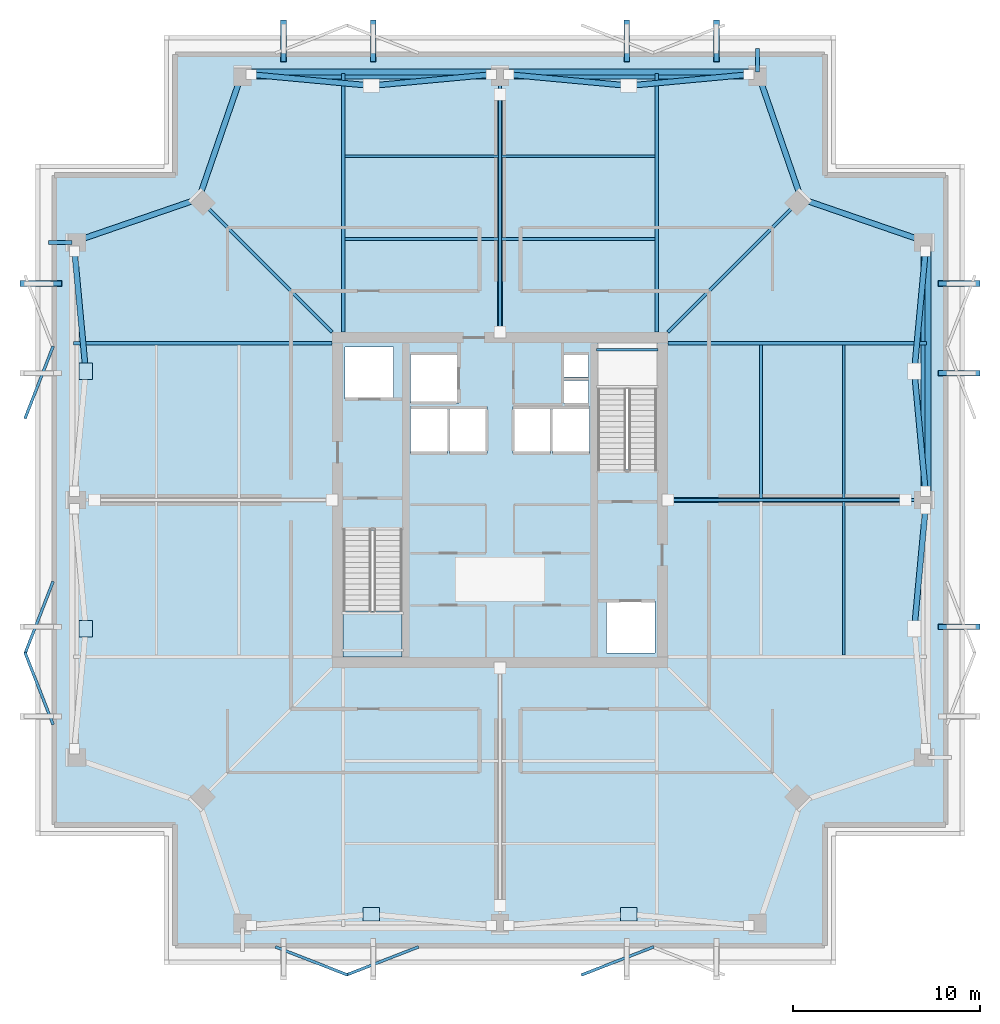
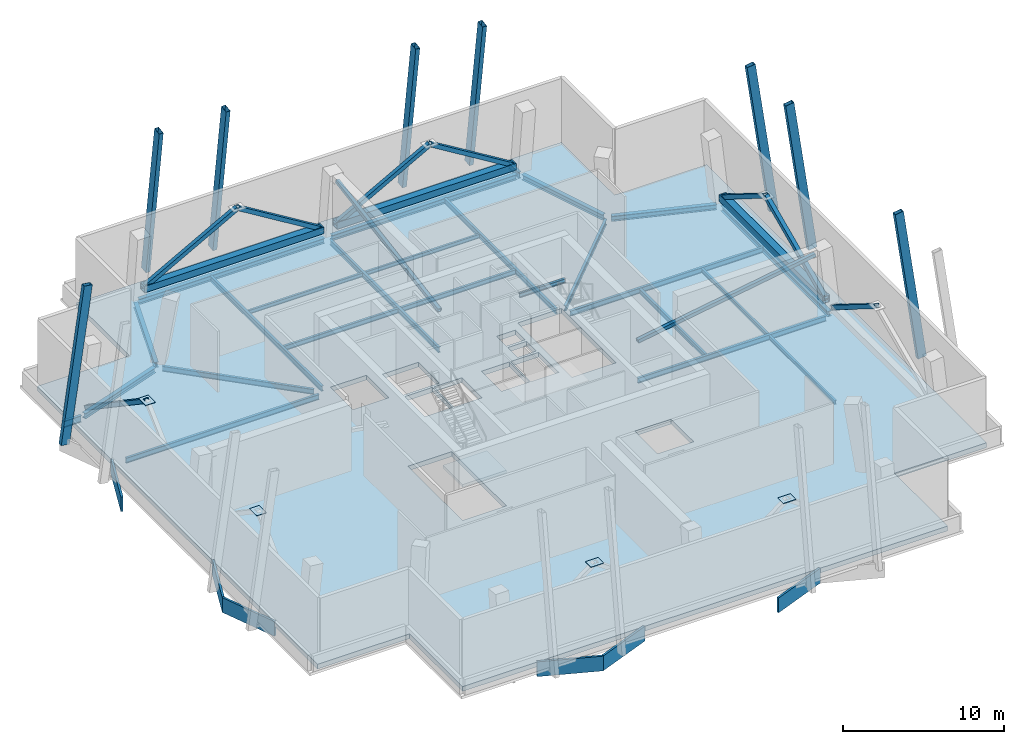
# One storey, part 2 of 6: 28 beams, 18 members, 10 plates, 2 slabs, 1 element without a shape of its own.
"""IFC4 building model written with IfcOpenShell, lengths in metres."""

from ifc_helpers import new_model, si_unit, direction, frame, origin, origin_2d, place, context, subcontext, project, spatial, polyline, rectangle, hollow_rectangle, i_section, outline, extrude, material, layer, layer_set, material_profile, profile_set, type_object, element, aggregate, save


model = new_model("IFC4")

# Units and contexts
model_context = context("Model", 3, precision=1e-05, world=origin(), true_north=direction((0.0, 1.0)))
body_context = subcontext(model_context, "Body", "Model", "MODEL_VIEW")
ifc_project = project(units=[si_unit("LENGTHUNIT", "METRE"), si_unit("AREAUNIT", "SQUARE_METRE"), si_unit("VOLUMEUNIT", "CUBIC_METRE"), si_unit("PLANEANGLEUNIT", "RADIAN"), si_unit("MASSUNIT", "GRAM", prefix="KILO")], contexts=[model_context])

# Site, building, storey
site_placement = place(None, origin())
site = spatial("IfcSite", under=ifc_project, at=site_placement, CompositionType="ELEMENT")
building_placement = place(site_placement, origin())
building = spatial("IfcBuilding", under=site, at=building_placement, Name="Belovzor Exchange Tower", CompositionType="ELEMENT")
storey_placement = place(building_placement, frame((0.0, 0.0, 284.10009765625)))
storey = spatial("IfcBuildingStorey", under=building, at=storey_placement, Name="L71", CompositionType="ELEMENT", Elevation=284.10009765625)

# Members
ifc_material_1 = material(Name="Steel S460", Category="steel")
ifc_material_profile_1 = material_profile(ifc_material_1, hollow_rectangle(XDim=0.25, YDim=0.25, WallThickness=0.012451171875, at=origin_2d()))
ifc_profile_set_1 = profile_set([ifc_material_profile_1], Name="Steel S460")
member_type_1 = type_object("IfcMemberType", Name="Outrigger Tie Diagonal SHS 250x250x12.5", PredefinedType="BRACE", material=ifc_profile_set_1)
for number, where, z_axis, x_axis, name in (
    (1, (28.800048828125, 37.800048828125, 2.449951171875), (0.0, 0.986656143574, 0.162817856351), (-1.0, 0.0, 0.0), "OB-260 Outrigger Tie Diagonal SHS 250x250x12.5"),
    (2, (37.800048828125, 28.800048828125, 2.449951171875), (0.986656143574, 0.0, 0.162817856351), (0.0, 1.0, 0.0), "OB-260 Outrigger Tie Diagonal SHS 250x250x12.5"),
):
    element("IfcMember", number, at=place(storey_placement, frame(where, z_axis=z_axis, x_axis=x_axis)), inside=storey, type_object=member_type_1, Name=name, PredefinedType="BRACE", context=body_context, shape_type="SweptSolid", body=[
        extrude(hollow_rectangle(XDim=0.25, YDim=0.25, WallThickness=0.012451171875, at=origin_2d()), origin(), (0.0, 0.0, 1.0), 12.89697265625),
    ])

# Beams
ifc_material_2 = material(Name="Steel S460", Category="steel")
ifc_material_profile_2 = material_profile(ifc_material_2, hollow_rectangle(XDim=0.5, YDim=0.5, WallThickness=0.02490234375, at=origin_2d()))
ifc_profile_set_2 = profile_set([ifc_material_profile_2], Name="Steel S460")
beam_type_1 = type_object("IfcBeamType", Name="Perimeter Belt Truss Chord SHS 500x500x25", PredefinedType="BEAM", material=ifc_profile_set_2)
for number, where, z_axis, x_axis, name in (
    (3, (51.60009765625, 29.27490234375, 0.449951171875), (0.0, 1.0, 0.0), (-1.0, 0.0, 0.0), "BT-500 Perimeter Belt Truss Chord SHS 500x500x25"),
    (4, (42.125, 51.60009765625, 0.449951171875), (-1.0, 0.0, 0.0), (0.0, -1.0, 0.0), "BT-500 Perimeter Belt Truss Chord SHS 500x500x25"),
):
    element("IfcBeam", number, at=place(storey_placement, frame(where, z_axis=z_axis, x_axis=x_axis)), inside=storey, type_object=beam_type_1, Name=name, PredefinedType="BEAM", context=body_context, shape_type="SweptSolid", body=[
        extrude(hollow_rectangle(XDim=0.5, YDim=0.5, WallThickness=0.02490234375, at=origin_2d()), origin(), (0.0, 0.0, 1.0), 12.85009765625),
    ])
beam_1_placement = place(storey_placement, frame((28.324951171875, 51.60009765625, 0.449951171875), z_axis=(-1.0, 0.0, 0.0), x_axis=(0.0, -1.0, 0.0)))
element("IfcBeam", 5, at=beam_1_placement, inside=storey, type_object=beam_type_1, Name="BT-500 Perimeter Belt Truss Chord SHS 500x500x25", PredefinedType="BEAM", context=body_context, shape_type="SweptSolid", body=[
    extrude(hollow_rectangle(XDim=0.5, YDim=0.5, WallThickness=0.02490234375, at=origin_2d()), origin(), (0.0, 0.0, 1.0), 12.849853515625),
])
ifc_material_3 = material(Name="Steel S355", Category="steel")
ifc_material_profile_3 = material_profile(ifc_material_3, i_section(OverallWidth=0.199951171875, OverallDepth=0.5, WebThickness=0.01025390625, FlangeThickness=0.01611328125, at=origin_2d()))
ifc_profile_set_3 = profile_set([ifc_material_profile_3], Name="Steel S355")
beam_type_2 = type_object("IfcBeamType", Name="Planted Balcony Cantilever Beam IPE 500", PredefinedType="BEAM", material=ifc_profile_set_3)
for number, where, z_axis, x_axis, name in (
    (6, (42.60009765625, 51.74609375, -0.610107421875), (0.0, 1.0, 0.0), (-1.0, 0.0, 0.0), "BC-500 Planted Balcony Cantilever Beam IPE 500"),
    (7, (5.85400390625, 42.60009765625, -0.610107421875), (-1.0, 0.0, 0.0), (0.0, -1.0, 0.0), "BC-500 Planted Balcony Cantilever Beam IPE 500"),
):
    element("IfcBeam", number, at=place(storey_placement, frame(where, z_axis=z_axis, x_axis=x_axis)), inside=storey, type_object=beam_type_2, Name=name, PredefinedType="BEAM", context=body_context, shape_type="SweptSolid", body=[
        extrude(i_section(OverallWidth=0.199951171875, OverallDepth=0.5, WebThickness=0.01025390625, FlangeThickness=0.01611328125, at=origin_2d()), origin(), (0.0, 0.0, 1.0), 1.25390625),
    ])
ifc_material_4 = material(Name="Steel S355", Category="steel")
ifc_material_profile_4 = material_profile(ifc_material_4, i_section(OverallWidth=0.169921875, OverallDepth=0.360107421875, WebThickness=0.008056640625, FlangeThickness=0.0126953125, at=origin_2d()))
ifc_profile_set_4 = profile_set([ifc_material_profile_4], Name="Steel S355")
beam_type_3 = type_object("IfcBeamType", Name="Secondary Infill Floor Joist IPE 360", PredefinedType="BEAM", material=ifc_profile_set_4)
beam_2_placement = place(storey_placement, frame((20.489990234375, 42.7890625, -0.5400390625), z_axis=(1.0, 0.0, 0.0), x_axis=(0.0, 1.0, 0.0)))
element("IfcBeam", 8, at=beam_2_placement, inside=storey, type_object=beam_type_3, Name="FJ-360 Secondary Infill Floor Joist IPE 360", PredefinedType="BEAM", context=body_context, shape_type="SweptSolid", body=[
    extrude(i_section(OverallWidth=0.169921875, OverallDepth=0.360107421875, WebThickness=0.008056640625, FlangeThickness=0.0126953125, at=origin_2d()), origin(), (0.0, 0.0, 1.0), 8.219970703125),
])
for number, where, z_axis, x_axis, name in (
    (9, (28.889892578125, 42.7890625, -0.5400390625), (1.0, 0.0, 0.0), (0.0, 1.0, 0.0), "FJ-360 Secondary Infill Floor Joist IPE 360"),
    (10, (42.7890625, 28.889892578125, -0.5400390625), (0.0, 1.0, 0.0), (-1.0, 0.0, 0.0), "FJ-360 Secondary Infill Floor Joist IPE 360"),
):
    element("IfcBeam", number, at=place(storey_placement, frame(where, z_axis=z_axis, x_axis=x_axis)), inside=storey, type_object=beam_type_3, Name=name, PredefinedType="BEAM", context=body_context, shape_type="SweptSolid", body=[
        extrude(i_section(OverallWidth=0.169921875, OverallDepth=0.360107421875, WebThickness=0.008056640625, FlangeThickness=0.0126953125, at=origin_2d()), origin(), (0.0, 0.0, 1.0), 8.22021484375),
    ])
ifc_material_5 = material(Name="Steel S355", Category="steel")
ifc_material_profile_5 = material_profile(ifc_material_5, i_section(OverallWidth=0.14990234375, OverallDepth=0.300048828125, WebThickness=0.007080078125, FlangeThickness=0.0107421875, at=origin_2d()))
ifc_profile_set_5 = profile_set([ifc_material_profile_5], Name="Steel S355")
beam_type_4 = type_object("IfcBeamType", Name="Secondary Trim Floor Joist IPE 300", PredefinedType="BEAM", material=ifc_profile_set_5)
beam_3_placement = place(storey_placement, frame((37.280029296875, 36.85009765625, 2.349853515625), z_axis=(-1.0, 0.0, 0.0), x_axis=(0.0, -1.0, 0.0)))
element("IfcBeam", 11, at=beam_3_placement, inside=storey, type_object=beam_type_4, Name="FJ-300 Secondary Trim Floor Joist IPE 300", PredefinedType="BEAM", context=body_context, shape_type="SweptSolid", body=[
    extrude(i_section(OverallWidth=0.14990234375, OverallDepth=0.300048828125, WebThickness=0.007080078125, FlangeThickness=0.0107421875, at=origin_2d()), origin(), (0.0, 0.0, 1.0), 3.31005859375),
])
beam_4_placement = place(storey_placement, frame((20.489990234375, 47.22412109375, -0.510009765625), z_axis=(1.0, 0.0, 0.0), x_axis=(0.0, 1.0, 0.0)))
element("IfcBeam", 12, at=beam_4_placement, inside=storey, type_object=beam_type_4, Name="FJ-300 Secondary Trim Floor Joist IPE 300", PredefinedType="BEAM", context=body_context, shape_type="SweptSolid", body=[
    extrude(i_section(OverallWidth=0.14990234375, OverallDepth=0.300048828125, WebThickness=0.007080078125, FlangeThickness=0.0107421875, at=origin_2d()), origin(), (0.0, 0.0, 1.0), 8.219970703125),
])
beam_5_placement = place(storey_placement, frame((28.889892578125, 47.22412109375, -0.510009765625), z_axis=(1.0, 0.0, 0.0), x_axis=(0.0, 1.0, 0.0)))
element("IfcBeam", 13, at=beam_5_placement, inside=storey, type_object=beam_type_4, Name="FJ-300 Secondary Trim Floor Joist IPE 300", PredefinedType="BEAM", context=body_context, shape_type="SweptSolid", body=[
    extrude(i_section(OverallWidth=0.14990234375, OverallDepth=0.300048828125, WebThickness=0.007080078125, FlangeThickness=0.0107421875, at=origin_2d()), origin(), (0.0, 0.0, 1.0), 8.22021484375),
])
beam_6_placement = place(storey_placement, frame((47.22412109375, 20.489990234375, -0.510009765625), z_axis=(0.0, 1.0, 0.0), x_axis=(-1.0, 0.0, 0.0)))
element("IfcBeam", 14, at=beam_6_placement, inside=storey, type_object=beam_type_4, Name="FJ-300 Secondary Trim Floor Joist IPE 300", PredefinedType="BEAM", context=body_context, shape_type="SweptSolid", body=[
    extrude(i_section(OverallWidth=0.14990234375, OverallDepth=0.300048828125, WebThickness=0.007080078125, FlangeThickness=0.0107421875, at=origin_2d()), origin(), (0.0, 0.0, 1.0), 8.219970703125),
])
beam_7_placement = place(storey_placement, frame((47.22412109375, 28.889892578125, -0.510009765625), z_axis=(0.0, 1.0, 0.0), x_axis=(-1.0, 0.0, 0.0)))
element("IfcBeam", 15, at=beam_7_placement, inside=storey, type_object=beam_type_4, Name="FJ-300 Secondary Trim Floor Joist IPE 300", PredefinedType="BEAM", context=body_context, shape_type="SweptSolid", body=[
    extrude(i_section(OverallWidth=0.14990234375, OverallDepth=0.300048828125, WebThickness=0.007080078125, FlangeThickness=0.0107421875, at=origin_2d()), origin(), (0.0, 0.0, 1.0), 8.22021484375),
])

# Members
ifc_material_6 = material(Name="Steel S355", Category="steel")
ifc_material_profile_6 = material_profile(ifc_material_6, hollow_rectangle(XDim=0.300048828125, YDim=0.300048828125, WallThickness=0.01611328125, at=origin_2d()))
ifc_profile_set_6 = profile_set([ifc_material_profile_6], Name="Steel S355")
member_type_2 = type_object("IfcMemberType", Name="Upper Belt Truss Diagonal SHS 300x300x16", PredefinedType="BRACE", material=ifc_profile_set_6)
for number, where, z_axis, x_axis, name in (
    (16, (51.0, 21.89990234375, 4.64990234375), (0.07794070296, 0.83448554915, -0.545489793747), (-0.995666579124, 0.092994963388, 0.0), "BD-300 Upper Belt Truss Diagonal SHS 300x300x16"),
    (17, (51.60009765625, 29.27490234375, 0.449951171875), (-0.07794070296, 0.83448554915, 0.545489793747), (-0.995666579124, -0.092994963388, 0.0), "BD-300 Upper Belt Truss Diagonal SHS 300x300x16"),
    (18, (51.0, 35.699951171875, 4.64990234375), (0.07794070296, 0.83448554915, -0.545489793747), (-0.995666579124, 0.092994963388, 0.0), "BD-300 Upper Belt Truss Diagonal SHS 300x300x16"),
    (19, (42.125, 51.60009765625, 0.449951171875), (-0.83448554915, -0.07794070296, 0.545489793747), (0.092994963388, -0.995666579124, 0.0), "BD-300 Upper Belt Truss Diagonal SHS 300x300x16"),
    (20, (35.699951171875, 51.0, 4.64990234375), (-0.83448554915, 0.07794070296, -0.545489793747), (-0.092994963388, -0.995666579124, 0.0), "BD-300 Upper Belt Truss Diagonal SHS 300x300x16"),
    (21, (28.324951171875, 51.60009765625, 0.449951171875), (-0.83448554915, -0.07794070296, 0.545489793747), (0.092994963388, -0.995666579124, 0.0), "BD-300 Upper Belt Truss Diagonal SHS 300x300x16"),
):
    element("IfcMember", number, at=place(storey_placement, frame(where, z_axis=z_axis, x_axis=x_axis)), inside=storey, type_object=member_type_2, Name=name, PredefinedType="BRACE", context=body_context, shape_type="SweptSolid", body=[
        extrude(hollow_rectangle(XDim=0.300048828125, YDim=0.300048828125, WallThickness=0.01611328125, at=origin_2d()), origin(), (0.0, 0.0, 1.0), 7.699462890625),
    ])
member_1_placement = place(storey_placement, frame((21.89990234375, 51.0, 4.64990234375), z_axis=(-0.834475920844, 0.077942765368, -0.545504228085), x_axis=(-0.092998466606, -0.995666251918, 0.0)))
element("IfcMember", 22, at=member_1_placement, inside=storey, type_object=member_type_2, Name="BD-300 Upper Belt Truss Diagonal SHS 300x300x16", PredefinedType="BRACE", context=body_context, shape_type="SweptSolid", body=[
    extrude(hollow_rectangle(XDim=0.300048828125, YDim=0.300048828125, WallThickness=0.01611328125, at=origin_2d()), origin(), (0.0, 0.0, 1.0), 7.69921875),
])
member_2_placement = place(storey_placement, frame((6.0, 42.125, 0.449951171875), z_axis=(0.07794070296, -0.83448554915, 0.545489793747), x_axis=(0.995666579124, 0.092994963388, 0.0)))
element("IfcMember", 23, at=member_2_placement, inside=storey, type_object=member_type_2, Name="BD-300 Upper Belt Truss Diagonal SHS 300x300x16", PredefinedType="BRACE", context=body_context, shape_type="SweptSolid", body=[
    extrude(hollow_rectangle(XDim=0.300048828125, YDim=0.300048828125, WallThickness=0.01611328125, at=origin_2d()), origin(), (0.0, 0.0, 1.0), 7.699462890625),
])
ifc_material_7 = material(Name="Extruded Architectural Terracotta on Steel S355 Carrier", Category="masonry")
ifc_material_profile_7 = material_profile(ifc_material_7, hollow_rectangle(XDim=0.300048828125, YDim=0.60009765625, WallThickness=0.01611328125, at=origin_2d()))
ifc_profile_set_7 = profile_set([ifc_material_profile_7], Name="Extruded Architectural Terracotta on Steel S355 Carrier")
member_type_3 = type_object("IfcMemberType", Name="Upper Crown Terracotta Fin Assembly 550", PredefinedType="USERDEFINED", material=ifc_profile_set_7)
for number, where, z_axis, x_axis, name in (
    (24, (17.199951171875, 54.22509765625, -0.360107421875), (0.0, -0.141794345676, 0.989896137751), (1.0, 0.0, 0.0), "FIN-TC055 Terracotta Facade Fin L71 N1"),
    (25, (22.0, 54.22509765625, -0.360107421875), (0.0, -0.141794345676, 0.989896137751), (1.0, 0.0, 0.0), "FIN-TC055 Terracotta Facade Fin L71 N2"),
    (26, (54.22509765625, 22.0, -0.360107421875), (-0.141794345676, 0.0, 0.989896137751), (0.0, -1.0, 0.0), "FIN-TC055 Terracotta Facade Fin L71 E2"),
    (27, (35.60009765625, 54.22509765625, -0.360107421875), (0.0, -0.141794345676, 0.989896137751), (1.0, 0.0, 0.0), "FIN-TC055 Terracotta Facade Fin L71 N3"),
    (28, (54.22509765625, 35.60009765625, -0.360107421875), (-0.141794345676, 0.0, 0.989896137751), (0.0, -1.0, 0.0), "FIN-TC055 Terracotta Facade Fin L71 E3"),
    (29, (40.39990234375, 54.22509765625, -0.360107421875), (0.0, -0.141794345676, 0.989896137751), (1.0, 0.0, 0.0), "FIN-TC055 Terracotta Facade Fin L71 N4"),
):
    element("IfcMember", number, at=place(storey_placement, frame(where, z_axis=z_axis, x_axis=x_axis)), inside=storey, type_object=member_type_3, Name=name, ObjectType="FIN", PredefinedType="USERDEFINED", context=body_context, shape_type="SweptSolid", body=[
        extrude(hollow_rectangle(XDim=0.300048828125, YDim=0.60009765625, WallThickness=0.01611328125, at=origin_2d()), origin(), (0.0, 0.0, 1.0), 11.6376953125),
    ])
member_3_placement = place(storey_placement, frame((3.375, 40.39990234375, -0.360107421875), z_axis=(0.141773788774, 0.0, 0.989899082138), x_axis=(0.0, 1.0, 0.0)))
element("IfcMember", 30, at=member_3_placement, inside=storey, type_object=member_type_3, Name="FIN-TC055 Terracotta Facade Fin L71 W4", ObjectType="FIN", PredefinedType="USERDEFINED", context=body_context, shape_type="SweptSolid", body=[
    extrude(hollow_rectangle(XDim=0.300048828125, YDim=0.60009765625, WallThickness=0.01611328125, at=origin_2d()), origin(), (0.0, 0.0, 1.0), 11.637451171875),
])
member_4_placement = place(storey_placement, frame((54.22509765625, 40.39990234375, -0.360107421875), z_axis=(-0.141794345676, 0.0, 0.989896137751), x_axis=(0.0, -1.0, 0.0)))
element("IfcMember", 31, at=member_4_placement, inside=storey, type_object=member_type_3, Name="FIN-TC055 Terracotta Facade Fin L71 E4", ObjectType="FIN", PredefinedType="USERDEFINED", context=body_context, shape_type="SweptSolid", body=[
    extrude(hollow_rectangle(XDim=0.300048828125, YDim=0.60009765625, WallThickness=0.01611328125, at=origin_2d()), origin(), (0.0, 0.0, 1.0), 11.6376953125),
])

# Beams
ifc_material_8 = material(Name="Steel S355", Category="steel")
ifc_material_profile_8 = material_profile(ifc_material_8, i_section(OverallWidth=0.300048828125, OverallDepth=0.39990234375, WebThickness=0.013427734375, FlangeThickness=0.02392578125, at=origin_2d()))
ifc_profile_set_8 = profile_set([ifc_material_profile_8], Name="Steel S355")
beam_type_5 = type_object("IfcBeamType", Name="Zone 5 Primary Girder HEB 400", PredefinedType="BEAM", material=ifc_profile_set_8)
beam_8_placement = place(storey_placement, frame((51.73388671875, 29.06103515625, -0.56005859375), z_axis=(0.0, 1.0, 0.0), x_axis=(-1.0, 0.0, 0.0)))
element("IfcBeam", 32, at=beam_8_placement, inside=storey, type_object=beam_type_5, Name="FG-Z5 Zone 5 Primary Girder HEB 400", PredefinedType="BEAM", context=body_context, shape_type="SweptSolid", body=[
    extrude(i_section(OverallWidth=0.300048828125, OverallDepth=0.39990234375, WebThickness=0.013427734375, FlangeThickness=0.02392578125, at=origin_2d()), origin(), (0.0, 0.0, 1.0), 13.278076171875),
])
for number, where, z_axis, x_axis, name in (
    (33, (51.487060546875, 42.68505859375, -0.56005859375), (-0.945488954131, 0.325654168739, 0.0), (-0.325654168739, -0.945488954131, 0.0), "FG-Z5 Zone 5 Primary Girder HEB 400"),
    (34, (44.85498046875, 45.18701171875, -0.56005859375), (-0.325654168739, 0.945488954131, 0.0), (-0.945488954131, -0.325654168739, 0.0), "FG-Z5 Zone 5 Primary Girder HEB 400"),
):
    element("IfcBeam", number, at=place(storey_placement, frame(where, z_axis=z_axis, x_axis=x_axis)), inside=storey, type_object=beam_type_5, Name=name, PredefinedType="BEAM", context=body_context, shape_type="SweptSolid", body=[
        extrude(i_section(OverallWidth=0.300048828125, OverallDepth=0.39990234375, WebThickness=0.013427734375, FlangeThickness=0.02392578125, at=origin_2d()), origin(), (0.0, 0.0, 1.0), 6.663330078125),
    ])
for number, where, z_axis, x_axis, name in (
    (35, (42.339111328125, 51.73388671875, -0.56005859375), (-1.0, 0.0, 0.0), (0.0, -1.0, 0.0), "FG-Z5 Zone 5 Primary Girder HEB 400"),
    (36, (28.5390625, 51.73388671875, -0.56005859375), (-1.0, 0.0, 0.0), (0.0, -1.0, 0.0), "FG-Z5 Zone 5 Primary Girder HEB 400"),
):
    element("IfcBeam", number, at=place(storey_placement, frame(where, z_axis=z_axis, x_axis=x_axis)), inside=storey, type_object=beam_type_5, Name=name, PredefinedType="BEAM", context=body_context, shape_type="SweptSolid", body=[
        extrude(i_section(OverallWidth=0.300048828125, OverallDepth=0.39990234375, WebThickness=0.013427734375, FlangeThickness=0.02392578125, at=origin_2d()), origin(), (0.0, 0.0, 1.0), 13.278076171875),
    ])
for number, where, z_axis, x_axis, name in (
    (37, (14.9150390625, 51.487060546875, -0.56005859375), (-0.325654168739, -0.945488954131, 0.0), (0.945488954131, -0.325654168739, 0.0), "FG-Z5 Zone 5 Primary Girder HEB 400"),
    (38, (12.4130859375, 44.85498046875, -0.56005859375), (-0.945488954131, -0.325654168739, 0.0), (0.325654168739, -0.945488954131, 0.0), "FG-Z5 Zone 5 Primary Girder HEB 400"),
):
    element("IfcBeam", number, at=place(storey_placement, frame(where, z_axis=z_axis, x_axis=x_axis)), inside=storey, type_object=beam_type_5, Name=name, PredefinedType="BEAM", context=body_context, shape_type="SweptSolid", body=[
        extrude(i_section(OverallWidth=0.300048828125, OverallDepth=0.39990234375, WebThickness=0.013427734375, FlangeThickness=0.02392578125, at=origin_2d()), origin(), (0.0, 0.0, 1.0), 6.663330078125),
    ])
ifc_material_9 = material(Name="Steel S355", Category="steel")
ifc_material_profile_9 = material_profile(ifc_material_9, i_section(OverallWidth=0.179931640625, OverallDepth=0.39990234375, WebThickness=0.008544921875, FlangeThickness=0.013427734375, at=origin_2d()))
ifc_profile_set_9 = profile_set([ifc_material_profile_9], Name="Steel S355")
beam_type_6 = type_object("IfcBeamType", Name="Zone 5-6 Radial Composite Floor Beam IPE 400", PredefinedType="BEAM", material=ifc_profile_set_9)
beam_9_placement = place(storey_placement, frame((20.39990234375, 37.800048828125, -0.56005859375), z_axis=(0.0, 1.0, 0.0), x_axis=(-1.0, 0.0, 0.0)))
element("IfcBeam", 39, at=beam_9_placement, inside=storey, type_object=beam_type_6, Name="FB-400 Zone 5-6 Radial Composite Floor Beam IPE 400", PredefinedType="BEAM", context=body_context, shape_type="SweptSolid", body=[
    extrude(i_section(OverallWidth=0.179931640625, OverallDepth=0.39990234375, WebThickness=0.008544921875, FlangeThickness=0.013427734375, at=origin_2d()), origin(), (0.0, 0.0, 1.0), 13.85888671875),
])
beam_10_placement = place(storey_placement, frame((28.800048828125, 37.800048828125, -0.56005859375), z_axis=(0.0, 1.0, 0.0), x_axis=(-1.0, 0.0, 0.0)))
element("IfcBeam", 40, at=beam_10_placement, inside=storey, type_object=beam_type_6, Name="FB-400 Zone 5-6 Radial Composite Floor Beam IPE 400", PredefinedType="BEAM", context=body_context, shape_type="SweptSolid", body=[
    extrude(i_section(OverallWidth=0.179931640625, OverallDepth=0.39990234375, WebThickness=0.008544921875, FlangeThickness=0.013427734375, at=origin_2d()), origin(), (0.0, 0.0, 1.0), 13.515869140625),
])
beam_11_placement = place(storey_placement, frame((37.199951171875, 37.800048828125, -0.56005859375), z_axis=(0.0, 1.0, 0.0), x_axis=(-1.0, 0.0, 0.0)))
element("IfcBeam", 41, at=beam_11_placement, inside=storey, type_object=beam_type_6, Name="FB-400 Zone 5-6 Radial Composite Floor Beam IPE 400", PredefinedType="BEAM", context=body_context, shape_type="SweptSolid", body=[
    extrude(i_section(OverallWidth=0.179931640625, OverallDepth=0.39990234375, WebThickness=0.008544921875, FlangeThickness=0.013427734375, at=origin_2d()), origin(), (0.0, 0.0, 1.0), 13.85888671875),
])
beam_12_placement = place(storey_placement, frame((19.800048828125, 37.199951171875, -0.56005859375), z_axis=(-1.0, 0.0, 0.0), x_axis=(0.0, -1.0, 0.0)))
element("IfcBeam", 42, at=beam_12_placement, inside=storey, type_object=beam_type_6, Name="FB-400 Zone 5-6 Radial Composite Floor Beam IPE 400", PredefinedType="BEAM", context=body_context, shape_type="SweptSolid", body=[
    extrude(i_section(OverallWidth=0.179931640625, OverallDepth=0.39990234375, WebThickness=0.008544921875, FlangeThickness=0.013427734375, at=origin_2d()), origin(), (0.0, 0.0, 1.0), 13.859130859375),
])
beam_13_placement = place(storey_placement, frame((37.800048828125, 28.800048828125, -0.56005859375), z_axis=(1.0, 0.0, 0.0), x_axis=(0.0, 1.0, 0.0)))
element("IfcBeam", 43, at=beam_13_placement, inside=storey, type_object=beam_type_6, Name="FB-400 Zone 5-6 Radial Composite Floor Beam IPE 400", PredefinedType="BEAM", context=body_context, shape_type="SweptSolid", body=[
    extrude(i_section(OverallWidth=0.179931640625, OverallDepth=0.39990234375, WebThickness=0.008544921875, FlangeThickness=0.013427734375, at=origin_2d()), origin(), (0.0, 0.0, 1.0), 13.515869140625),
])
beam_14_placement = place(storey_placement, frame((37.800048828125, 37.199951171875, -0.56005859375), z_axis=(1.0, 0.0, 0.0), x_axis=(0.0, 1.0, 0.0)))
element("IfcBeam", 44, at=beam_14_placement, inside=storey, type_object=beam_type_6, Name="FB-400 Zone 5-6 Radial Composite Floor Beam IPE 400", PredefinedType="BEAM", context=body_context, shape_type="SweptSolid", body=[
    extrude(i_section(OverallWidth=0.179931640625, OverallDepth=0.39990234375, WebThickness=0.008544921875, FlangeThickness=0.013427734375, at=origin_2d()), origin(), (0.0, 0.0, 1.0), 13.85888671875),
])
beam_15_placement = place(storey_placement, frame((37.800048828125, 37.800048828125, -0.56005859375), z_axis=(0.707106781187, 0.707106781187, 0.0), x_axis=(-0.707106781187, 0.707106781187, 0.0)))
element("IfcBeam", 45, at=beam_15_placement, inside=storey, type_object=beam_type_6, Name="FB-400 Zone 5-6 Radial Composite Floor Beam IPE 400", PredefinedType="BEAM", context=body_context, shape_type="SweptSolid", body=[
    extrude(i_section(OverallWidth=0.179931640625, OverallDepth=0.39990234375, WebThickness=0.008544921875, FlangeThickness=0.013427734375, at=origin_2d()), origin(), (0.0, 0.0, 1.0), 9.761962890625),
])
beam_16_placement = place(storey_placement, frame((19.800048828125, 37.800048828125, -0.56005859375), z_axis=(-0.707069264578, 0.707144295804, 0.0), x_axis=(-0.707144295804, -0.707069264578, 0.0)))
element("IfcBeam", 46, at=beam_16_placement, inside=storey, type_object=beam_type_6, Name="FB-400 Zone 5-6 Radial Composite Floor Beam IPE 400", PredefinedType="BEAM", context=body_context, shape_type="SweptSolid", body=[
    extrude(i_section(OverallWidth=0.179931640625, OverallDepth=0.39990234375, WebThickness=0.008544921875, FlangeThickness=0.013427734375, at=origin_2d()), origin(), (0.0, 0.0, 1.0), 9.761474609375),
])

# Plates
ifc_material_10 = material(Name="Steel S460", Category="steel")
ifc_layer_1 = layer(ifc_material_10, 0.031982421875)
ifc_layer_set_1 = layer_set([ifc_layer_1], Name="Steel S460")
plate_type_1 = type_object("IfcPlateType", Name="Belt Truss Chord Node Gusset Plate 900x700x32", PredefinedType="SHEET", material=ifc_layer_set_1)
for number, where, z_axis, x_axis, name in (
    (47, (21.89990234375, 6.60009765625, 4.6337890625), (0.0, 0.0, 1.0), (1.0, 0.0, 0.0), "KN-3 Belt Truss Chord Node Gusset Plate 900x700x32"),
    (48, (35.699951171875, 6.60009765625, 4.6337890625), (0.0, 0.0, 1.0), (1.0, 0.0, 0.0), "KN-3 Belt Truss Chord Node Gusset Plate 900x700x32"),
    (49, (6.60009765625, 35.699951171875, 4.6337890625), (0.0, 0.0, 1.0), (0.0, 1.0, 0.0), "KN-3 Belt Truss Chord Node Gusset Plate 900x700x32"),
    (50, (6.60009765625, 21.89990234375, 4.6337890625), (0.0, 0.0, 1.0), (0.0, 1.0, 0.0), "KN-3 Belt Truss Chord Node Gusset Plate 900x700x32"),
):
    element("IfcPlate", number, at=place(storey_placement, frame(where, z_axis=z_axis, x_axis=x_axis)), inside=storey, type_object=plate_type_1, Name=name, PredefinedType="SHEET", context=body_context, shape_type="SweptSolid", body=[
        extrude(rectangle(XDim=0.89990234375, YDim=0.699951171875, at=origin_2d()), origin(), (0.0, 0.0, 1.0), 0.031982421875),
    ])

# Slab
ifc_material_11 = material(Name="Concrete C50/60", Category="concrete")
ifc_layer_2 = layer(ifc_material_11, 0.360107421875)
ifc_layer_set_2 = layer_set([ifc_layer_2], Name="Concrete C50/60")
slab_type_1 = type_object("IfcSlabType", Name="Reinforced Concrete Refuge Deck Floor Slab 360", PredefinedType="FLOOR", material=ifc_layer_set_2)
slab_1_placement = place(storey_placement, frame((0.0, 0.0, -0.360107421875)))
element("IfcSlab", 51, at=slab_1_placement, inside=storey, type_object=slab_type_1, Name="SL-F360 Structural Slab L71", PredefinedType="FLOOR", context=body_context, shape_type="SweptSolid", body=[
    extrude(outline(polyline([(11.39990234375, 4.800048828125), (46.199951171875, 4.800048828125), (46.199951171875, 11.39990234375), (52.800048828125, 11.39990234375), (52.800048828125, 46.199951171875), (46.199951171875, 46.199951171875), (46.199951171875, 52.800048828125), (11.39990234375, 52.800048828125), (11.39990234375, 46.199951171875), (4.800048828125, 46.199951171875), (4.800048828125, 11.39990234375), (11.39990234375, 11.39990234375), (11.39990234375, 4.800048828125)]), holes=[polyline([(20.39990234375, 27.175048828125), (20.39990234375, 20.39990234375), (23.550048828125, 20.39990234375), (23.550048828125, 27.175048828125), (20.39990234375, 27.175048828125)]), polyline([(37.199951171875, 30.425048828125), (37.199951171875, 37.199951171875), (34.050048828125, 37.199951171875), (34.050048828125, 30.425048828125), (37.199951171875, 30.425048828125)]), polyline([(20.5, 34.199951171875), (23.10009765625, 34.199951171875), (23.10009765625, 37.0), (20.5, 37.0), (20.5, 34.199951171875)]), polyline([(34.5, 20.60009765625), (37.10009765625, 20.60009765625), (37.10009765625, 23.39990234375), (34.5, 23.39990234375), (34.5, 20.60009765625)]), polyline([(24.0, 34.0), (26.60009765625, 34.0), (26.60009765625, 36.60009765625), (24.0, 36.60009765625), (24.0, 34.0)]), polyline([(24.0, 31.300048828125), (26.0, 31.300048828125), (26.0, 33.800048828125), (24.0, 33.800048828125), (24.0, 31.300048828125)]), polyline([(26.10009765625, 31.300048828125), (28.10009765625, 31.300048828125), (28.10009765625, 33.800048828125), (26.10009765625, 33.800048828125), (26.10009765625, 31.300048828125)]), polyline([(29.5, 31.300048828125), (31.5, 31.300048828125), (31.5, 33.800048828125), (29.5, 33.800048828125), (29.5, 31.300048828125)]), polyline([(31.60009765625, 31.300048828125), (33.60009765625, 31.300048828125), (33.60009765625, 33.800048828125), (31.60009765625, 33.800048828125), (31.60009765625, 31.300048828125)]), polyline([(32.199951171875, 34.0), (33.550048828125, 34.0), (33.550048828125, 35.199951171875), (32.199951171875, 35.199951171875), (32.199951171875, 34.0)]), polyline([(32.199951171875, 35.39990234375), (33.550048828125, 35.39990234375), (33.550048828125, 36.60009765625), (32.199951171875, 36.60009765625), (32.199951171875, 35.39990234375)])]), origin(), (0.0, 0.0, 1.0), 0.360107421875),
])

# Stair, slab
ifc_material_12 = material(Name="Concrete C40/50", Category="concrete")
stair_type = type_object("IfcStairType", Name="Reinforced Concrete Dogleg Escape Stair 1350", PredefinedType="HALF_TURN_STAIR", material=ifc_material_12)
stair_placement = place(storey_placement, origin())
stair = element("IfcStair", 52, at=stair_placement, inside=storey, type_object=stair_type, Name="L71 ST-1", PredefinedType="HALF_TURN_STAIR")
ifc_material_13 = material(Name="Concrete C40/50", Category="concrete")
ifc_layer_3 = layer(ifc_material_13, 0.199951171875)
ifc_layer_set_3 = layer_set([ifc_layer_3], Name="Concrete C40/50")
slab_type_2 = type_object("IfcSlabType", Name="Reinforced Concrete Stair Half-Landing Slab 200", PredefinedType="LANDING", material=ifc_layer_set_3)
slab_2_placement = place(storey_placement, frame((0.0, 0.0, 2.5)))
slab_2 = element("IfcSlab", 53, at=slab_2_placement, type_object=slab_type_2, Name="ST-1 landing 1", PredefinedType="LANDING", context=body_context, shape_type="SweptSolid", body=[
    extrude(outline(polyline([(20.39990234375, 22.85009765625), (20.39990234375, 20.39990234375), (23.550048828125, 20.39990234375), (23.550048828125, 22.85009765625), (20.39990234375, 22.85009765625)])), origin(), (0.0, 0.0, 1.0), 0.199951171875),
])
aggregate(stair, [slab_2])

# Plates
ifc_material_14 = material(Name="Extruded Architectural Terracotta", Category="masonry")
ifc_layer_4 = layer(ifc_material_14, 0.14990234375)
ifc_layer_set_4 = layer_set([ifc_layer_4], Name="Extruded Architectural Terracotta")
plate_type_2 = type_object("IfcPlateType", Name="Upper-Crown Deep Folded Zigzag Terracotta Spandrel Louvre 150", PredefinedType="USERDEFINED", material=ifc_layer_set_4)
for number, where, z_axis, x_axis, name in (
    (54, (18.699951171875, 4.10009765625, -1.105224609375), (0.0, 0.0, 1.0), (0.931817969421, -0.362925986758, 0.0), "LVR-ZZ3 Zigzag Terracotta Spandrel Louvre L71 S1A"),
    (55, (22.5, 4.10009765625, -1.105224609375), (0.0, 0.0, 1.0), (0.931817969421, 0.362925986758, 0.0), "LVR-ZZ3 Zigzag Terracotta Spandrel Louvre L71 S1B"),
    (56, (4.10009765625, 18.699951171875, -1.105224609375), (0.0, 0.0, 1.0), (-0.362925986758, 0.931817969421, 0.0), "LVR-ZZ3 Zigzag Terracotta Spandrel Louvre L71 W1A"),
    (57, (4.10009765625, 22.5, -1.105224609375), (0.0, 0.0, 1.0), (0.362925986758, 0.931817969421, 0.0), "LVR-ZZ3 Zigzag Terracotta Spandrel Louvre L71 W1B"),
    (58, (35.10009765625, 4.10009765625, -1.105224609375), (0.0, 0.0, 1.0), (0.931817969421, 0.362925986758, 0.0), "LVR-ZZ3 Zigzag Terracotta Spandrel Louvre L71 S2A"),
    (59, (4.10009765625, 35.10009765625, -1.105224609375), (0.0, 0.0, 1.0), (0.362925986758, 0.931817969421, 0.0), "LVR-ZZ3 Zigzag Terracotta Spandrel Louvre L71 W2A"),
):
    element("IfcPlate", number, at=place(storey_placement, frame(where, z_axis=z_axis, x_axis=x_axis)), inside=storey, type_object=plate_type_2, Name=name, ObjectType="SPANDREL_LOUVRE", PredefinedType="USERDEFINED", context=body_context, shape_type="SweptSolid", body=[
        extrude(rectangle(XDim=4.157958984375, YDim=0.14990234375, at=origin_2d()), origin(), (0.0, 0.0, 1.0), 1.1201171875),
    ])

save(model, "model.ifc")
